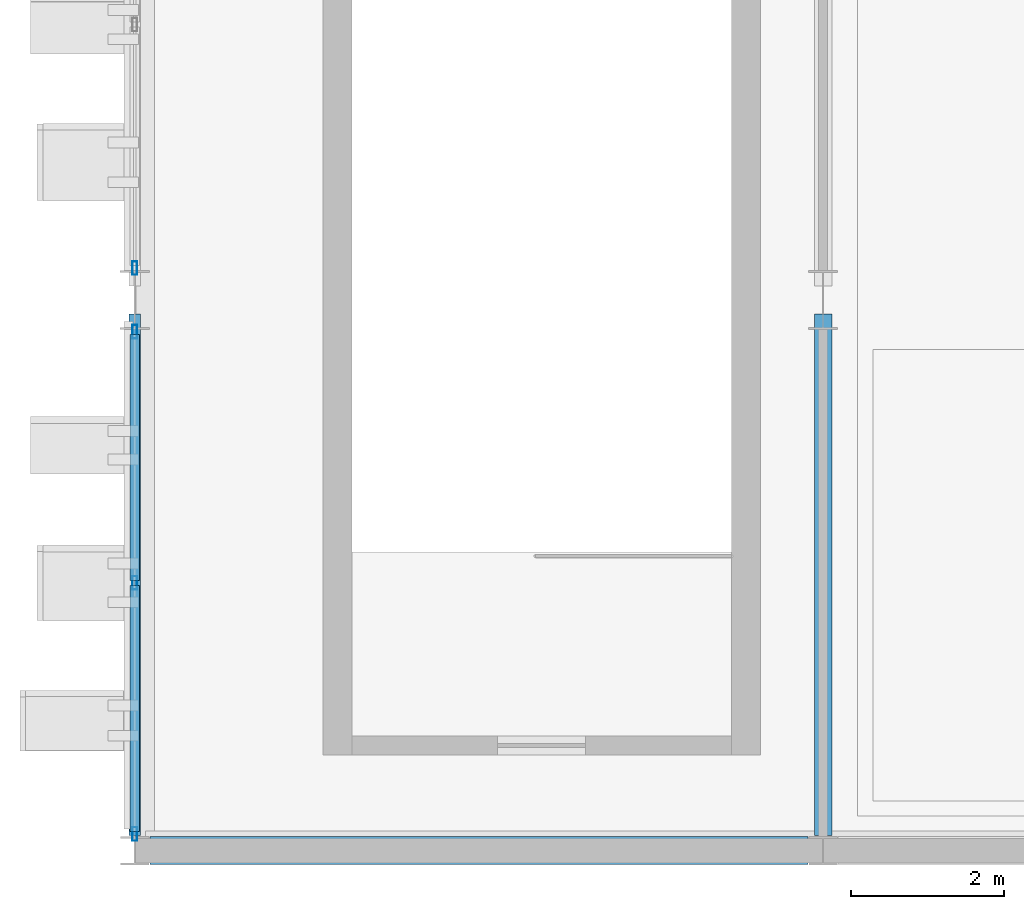
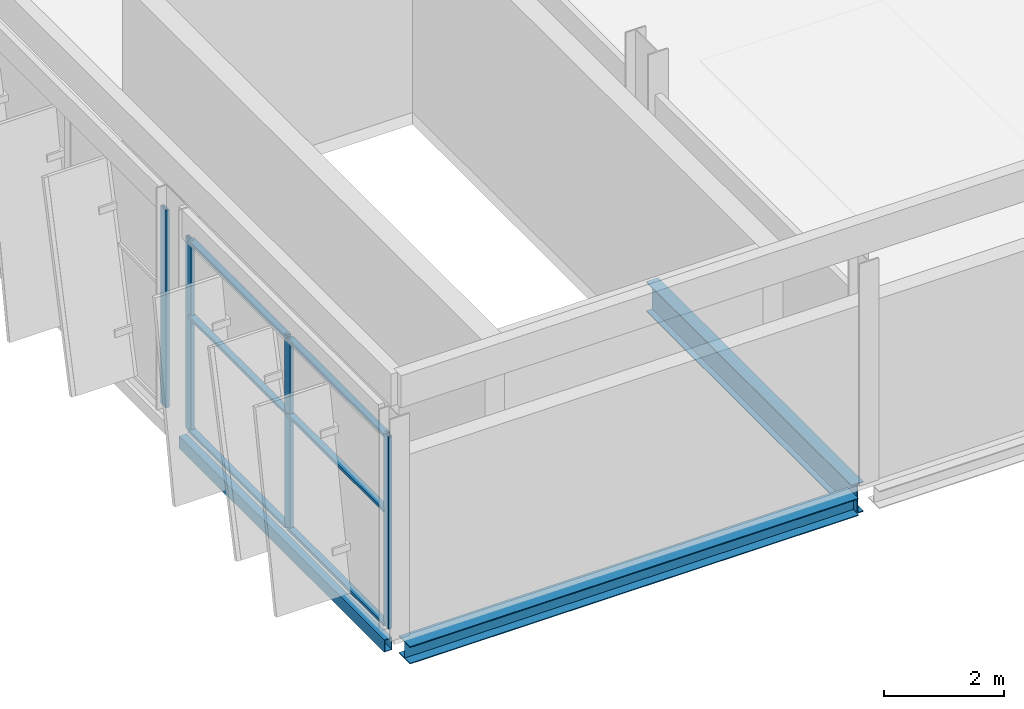
# One storey, part 5 of 52: 10 members, 3 beams, 2 elements without a shape of their own.
"""IFC4 building model written with IfcOpenShell, lengths in metres."""

from ifc_helpers import new_model, si_unit, direction, frame, origin, origin_2d, place, context, subcontext, project, spatial, hollow_rectangle, i_section, extrude, material, layer, layer_set, material_profile, profile_set, type_object, element, aggregate, save


model = new_model("IFC4")

# Units and contexts
model_context = context("Model", 3, precision=1e-05, world=origin(), true_north=direction((0.0, 1.0)))
body_context = subcontext(model_context, "Body", "Model", "MODEL_VIEW")
ifc_project = project(units=[si_unit("LENGTHUNIT", "METRE"), si_unit("AREAUNIT", "SQUARE_METRE"), si_unit("VOLUMEUNIT", "CUBIC_METRE"), si_unit("PLANEANGLEUNIT", "RADIAN"), si_unit("MASSUNIT", "GRAM", prefix="KILO")], contexts=[model_context])

# Site, building, storey
site_placement = place(None, origin())
site = spatial("IfcSite", under=ifc_project, at=site_placement, CompositionType="ELEMENT")
building_placement = place(site_placement, origin())
building = spatial("IfcBuilding", under=site, at=building_placement, Name="Celestram Park Convention Centre", CompositionType="ELEMENT")
storey_placement = place(building_placement, frame((0.0, 0.0, 24.300048828125)))
storey = spatial("IfcBuildingStorey", under=building, at=storey_placement, Name="L05", CompositionType="ELEMENT", Elevation=24.300048828125)

# Curtain wall, members
ifc_material_1 = material(Name="Anodised Aluminium Alloy 6063-T6", Category="aluminium")
ifc_layer_1 = layer(ifc_material_1, 0.179931640625)
ifc_layer_set_1 = layer_set([ifc_layer_1], Name="Anodised Aluminium Alloy 6063-T6")
curtain_wall_type_1 = type_object("IfcCurtainWallType", Name="ARC-CW-663X390", PredefinedType="NOTDEFINED", material=ifc_layer_set_1)
curtain_wall_1_placement = place(storey_placement, origin())
curtain_wall_1 = element("IfcCurtainWall", 1, at=curtain_wall_1_placement, inside=storey, type_object=curtain_wall_type_1, Name="Unitised curtain wall CU-L05-243", PredefinedType="NOTDEFINED")
ifc_material_profile_1 = material_profile(ifc_material_1, hollow_rectangle(XDim=0.06494140625, YDim=0.179931640625, WallThickness=0.00390625, at=origin_2d()), Name="ALU65X180X4")
ifc_profile_set_1 = profile_set([ifc_material_profile_1], Name="Anodised Aluminium Alloy 6063-T6")
member_type_1 = type_object("IfcMemberType", Name="ARC-CWM-150", PredefinedType="MULLION", material=ifc_profile_set_1)
member_1_placement = place(storey_placement, frame((36.0, 108.217041015625, 0.0), z_axis=(0.0, 0.0, 1.0), x_axis=(-1.0, 0.0, 0.0)))
member_1 = element("IfcMember", 2, at=member_1_placement, type_object=member_type_1, Name="CW-66X39 mullion 1", PredefinedType="MULLION", context=body_context, shape_type="SweptSolid", body=[
    extrude(hollow_rectangle(XDim=0.06494140625, YDim=0.179931640625, WallThickness=0.00390625, at=origin_2d()), origin(), (0.0, 0.0, 1.0), 3.904052734375),
])
member_2_placement = place(storey_placement, frame((36.0, 111.500244140625, 0.0), z_axis=(0.0, 0.0, 1.0), x_axis=(-1.0, 0.0, 0.0)))
member_2 = element("IfcMember", 3, at=member_2_placement, type_object=member_type_1, Name="CW-66X39 mullion 2", PredefinedType="MULLION", context=body_context, shape_type="SweptSolid", body=[
    extrude(hollow_rectangle(XDim=0.06494140625, YDim=0.179931640625, WallThickness=0.00390625, at=origin_2d()), origin(), (0.0, 0.0, 1.0), 3.904052734375),
])
member_3_placement = place(storey_placement, frame((36.0, 114.783447265625, 0.0), z_axis=(0.0, 0.0, 1.0), x_axis=(-1.0, 0.0, 0.0)))
member_3 = element("IfcMember", 4, at=member_3_placement, type_object=member_type_1, Name="CW-66X39 mullion 3", PredefinedType="MULLION", context=body_context, shape_type="SweptSolid", body=[
    extrude(hollow_rectangle(XDim=0.06494140625, YDim=0.179931640625, WallThickness=0.00390625, at=origin_2d()), origin(), (0.0, 0.0, 1.0), 3.904052734375),
])

# Curtain wall, member
ifc_layer_2 = layer(ifc_material_1, 0.179931640625)
ifc_layer_set_2 = layer_set([ifc_layer_2], Name="Anodised Aluminium Alloy 6063-T6")
curtain_wall_type_2 = type_object("IfcCurtainWallType", Name="ARC-CW-643X401", PredefinedType="NOTDEFINED", material=ifc_layer_set_2)
curtain_wall_2_placement = place(storey_placement, origin())
curtain_wall_2 = element("IfcCurtainWall", 5, at=curtain_wall_2_placement, inside=storey, type_object=curtain_wall_type_2, Name="Unitised curtain wall CU-L05-244", PredefinedType="NOTDEFINED")
member_4_placement = place(storey_placement, frame((36.0, 115.616455078125, 0.0), z_axis=(0.0, 0.0, 1.0), x_axis=(-1.0, 0.0, 0.0)))
member_4 = element("IfcMember", 6, at=member_4_placement, type_object=member_type_1, Name="CW-64X40 mullion 1", PredefinedType="MULLION", context=body_context, shape_type="SweptSolid", body=[
    extrude(hollow_rectangle(XDim=0.06494140625, YDim=0.179931640625, WallThickness=0.00390625, at=origin_2d()), origin(), (0.0, 0.0, 1.0), 4.010009765625),
])
aggregate(curtain_wall_2, [member_4])

# Member
ifc_material_profile_2 = material_profile(ifc_material_1, hollow_rectangle(XDim=0.1201171875, YDim=0.06005859375, WallThickness=0.0029296875, at=origin_2d()), Name="ALU120X60X3")
ifc_profile_set_2 = profile_set([ifc_material_profile_2], Name="Anodised Aluminium Alloy 6063-T6")
member_type_2 = type_object("IfcMemberType", Name="ARC-CWT-120", PredefinedType="USERDEFINED", material=ifc_profile_set_2)
member_5_placement = place(storey_placement, frame((36.0, 108.24951171875, 0.030029296875), z_axis=(0.0, 1.0, 0.0), x_axis=(-1.0, 0.0, 0.0)))
member_5 = element("IfcMember", 7, at=member_5_placement, type_object=member_type_2, Name="CW-66X39 transom 1.1", ObjectType="TRANSOM", PredefinedType="USERDEFINED", context=body_context, shape_type="SweptSolid", body=[
    extrude(hollow_rectangle(XDim=0.1201171875, YDim=0.06005859375, WallThickness=0.0029296875, at=origin_2d()), origin(), (0.0, 0.0, 1.0), 3.21826171875),
])

member_6_placement = place(storey_placement, frame((36.0, 108.24951171875, 2.342041015625), z_axis=(0.0, 1.0, 0.0), x_axis=(-1.0, 0.0, 0.0)))
member_6 = element("IfcMember", 8, at=member_6_placement, type_object=member_type_2, Name="CW-66X39 transom 1.2", ObjectType="TRANSOM", PredefinedType="USERDEFINED", context=body_context, shape_type="SweptSolid", body=[
    extrude(hollow_rectangle(XDim=0.1201171875, YDim=0.06005859375, WallThickness=0.0029296875, at=origin_2d()), origin(), (0.0, 0.0, 1.0), 3.21826171875),
])

member_7_placement = place(storey_placement, frame((36.0, 108.24951171875, 3.8740234375), z_axis=(0.0, 1.0, 0.0), x_axis=(-1.0, 0.0, 0.0)))
member_7 = element("IfcMember", 9, at=member_7_placement, type_object=member_type_2, Name="CW-66X39 transom 1.3", ObjectType="TRANSOM", PredefinedType="USERDEFINED", context=body_context, shape_type="SweptSolid", body=[
    extrude(hollow_rectangle(XDim=0.1201171875, YDim=0.06005859375, WallThickness=0.0029296875, at=origin_2d()), origin(), (0.0, 0.0, 1.0), 3.21826171875),
])

member_8_placement = place(storey_placement, frame((36.0, 111.53271484375, 0.030029296875), z_axis=(0.0, 1.0, 0.0), x_axis=(-1.0, 0.0, 0.0)))
member_8 = element("IfcMember", 10, at=member_8_placement, type_object=member_type_2, Name="CW-66X39 transom 2.1", ObjectType="TRANSOM", PredefinedType="USERDEFINED", context=body_context, shape_type="SweptSolid", body=[
    extrude(hollow_rectangle(XDim=0.1201171875, YDim=0.06005859375, WallThickness=0.0029296875, at=origin_2d()), origin(), (0.0, 0.0, 1.0), 3.21826171875),
])

member_9_placement = place(storey_placement, frame((36.0, 111.53271484375, 2.342041015625), z_axis=(0.0, 1.0, 0.0), x_axis=(-1.0, 0.0, 0.0)))
member_9 = element("IfcMember", 11, at=member_9_placement, type_object=member_type_2, Name="CW-66X39 transom 2.2", ObjectType="TRANSOM", PredefinedType="USERDEFINED", context=body_context, shape_type="SweptSolid", body=[
    extrude(hollow_rectangle(XDim=0.1201171875, YDim=0.06005859375, WallThickness=0.0029296875, at=origin_2d()), origin(), (0.0, 0.0, 1.0), 3.21826171875),
])

member_10_placement = place(storey_placement, frame((36.0, 111.53271484375, 3.8740234375), z_axis=(0.0, 1.0, 0.0), x_axis=(-1.0, 0.0, 0.0)))
member_10 = element("IfcMember", 12, at=member_10_placement, type_object=member_type_2, Name="CW-66X39 transom 2.3", ObjectType="TRANSOM", PredefinedType="USERDEFINED", context=body_context, shape_type="SweptSolid", body=[
    extrude(hollow_rectangle(XDim=0.1201171875, YDim=0.06005859375, WallThickness=0.0029296875, at=origin_2d()), origin(), (0.0, 0.0, 1.0), 3.21826171875),
])

aggregate(curtain_wall_1, [member_1, member_2, member_3, member_5, member_6, member_7, member_8, member_9, member_10])

# Beams
ifc_material_2 = material(Name="Steel ASTM A992 Grade 50", Category="steel")
ifc_material_profile_3 = material_profile(ifc_material_2, i_section(OverallWidth=0.22900390625, OverallDepth=0.612060546875, WebThickness=0.011962890625, FlangeThickness=0.01953125, at=origin_2d()), Name="W24X84")
ifc_profile_set_3 = profile_set([ifc_material_profile_3], Name="Steel ASTM A992 Grade 50")
beam_type_1 = type_object("IfcBeamType", Name="STR-BM-W24X84", PredefinedType="BEAM", material=ifc_profile_set_3)
beam_1_placement = place(storey_placement, frame((45.0, 108.197998046875, -0.546142578125), z_axis=(0.0, 1.0, 0.0), x_axis=(-1.0, 0.0, 0.0)))
element("IfcBeam", 13, at=beam_1_placement, inside=storey, type_object=beam_type_1, Name="Primary Y-girder BG-L05-0016", PredefinedType="BEAM", context=body_context, shape_type="SweptSolid", body=[
    extrude(i_section(OverallWidth=0.22900390625, OverallDepth=0.612060546875, WebThickness=0.011962890625, FlangeThickness=0.01953125, at=origin_2d()), origin(), (0.0, 0.0, 1.0), 6.8173828125),
])
ifc_material_3 = material(Name="Steel ASTM A500 Grade C", Category="steel")
ifc_material_profile_4 = material_profile(ifc_material_3, hollow_rectangle(XDim=0.14990234375, YDim=0.25, WallThickness=0.010009765625, at=origin_2d()), Name="HSS250X150X10")
ifc_profile_set_4 = profile_set([ifc_material_profile_4], Name="Steel ASTM A500 Grade C")
beam_type_2 = type_object("IfcBeamType", Name="STR-SPN-HSS250X150", PredefinedType="SPANDREL", material=ifc_profile_set_4)
beam_2_placement = place(storey_placement, frame((36.0, 108.197998046875, -0.364990234375), z_axis=(0.0, 1.0, 0.0), x_axis=(-1.0, 0.0, 0.0)))
element("IfcBeam", 14, at=beam_2_placement, inside=storey, type_object=beam_type_2, Name="Primary Y-girder BG-L05-0002", PredefinedType="SPANDREL", context=body_context, shape_type="SweptSolid", body=[
    extrude(hollow_rectangle(XDim=0.14990234375, YDim=0.25, WallThickness=0.010009765625, at=origin_2d()), origin(), (0.0, 0.0, 1.0), 6.8173828125),
])
ifc_material_profile_5 = material_profile(ifc_material_2, i_section(OverallWidth=0.367919921875, OverallDepth=0.35595703125, WebThickness=0.01123046875, FlangeThickness=0.01806640625, at=origin_2d()), Name="W14X90")
ifc_profile_set_5 = profile_set([ifc_material_profile_5], Name="Steel ASTM A992 Grade 50")
beam_type_3 = type_object("IfcBeamType", Name="STR-SPN-W14X90", PredefinedType="SPANDREL", material=ifc_profile_set_5)
beam_3_placement = place(storey_placement, frame((36.197998046875, 108.0, -0.41796875), z_axis=(1.0, 0.0, 0.0), x_axis=(0.0, 1.0, 0.0)))
element("IfcBeam", 15, at=beam_3_placement, inside=storey, type_object=beam_type_3, Name="Primary X-girder BG-L05-0001", PredefinedType="SPANDREL", context=body_context, shape_type="SweptSolid", body=[
    extrude(i_section(OverallWidth=0.367919921875, OverallDepth=0.35595703125, WebThickness=0.01123046875, FlangeThickness=0.01806640625, at=origin_2d()), origin(), (0.0, 0.0, 1.0), 8.60400390625),
])

save(model, "model.ifc")
